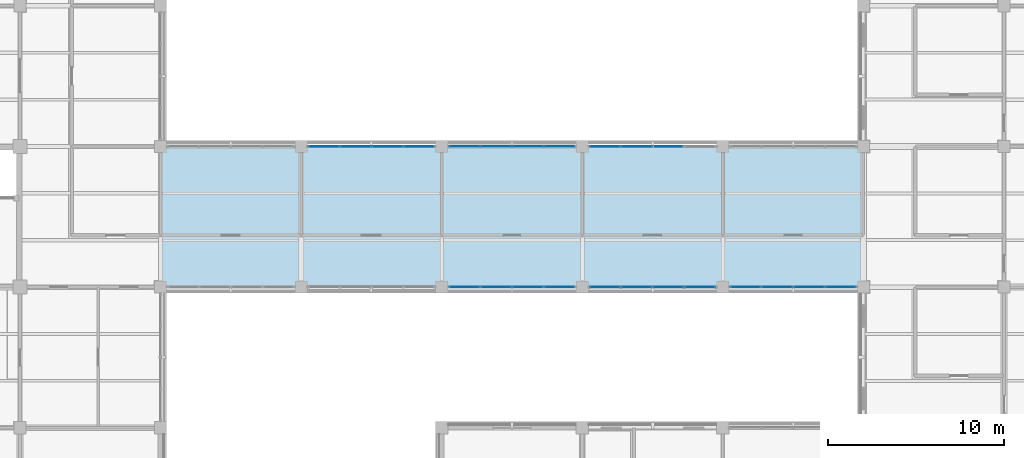
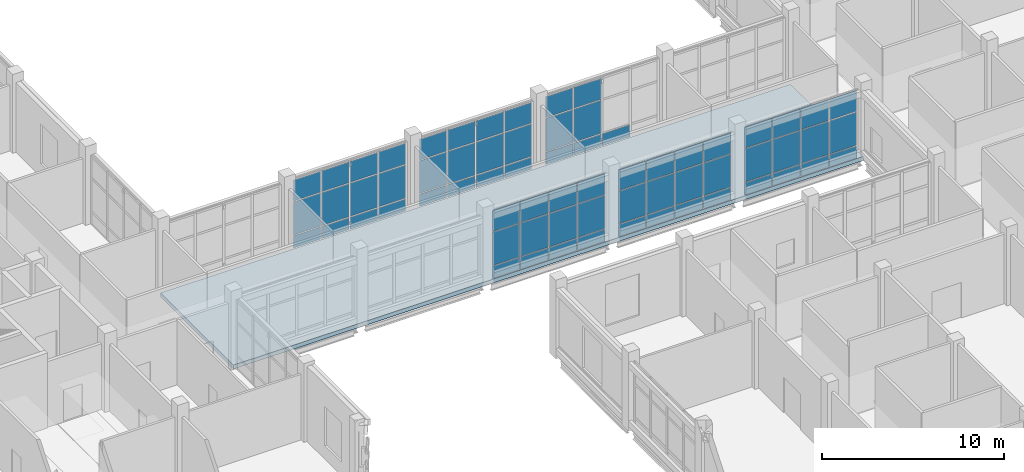
# One storey, part 55 of 105: 67 plates, 1 slab, 6 elements without a shape of their own.
"""IFC4 building model written with IfcOpenShell, lengths in metres."""

from ifc_helpers import new_model, si_unit, derived_unit, direction, frame, origin, origin_2d, place, context, subcontext, project, spatial, polyline, rectangle, outline, extrude, material, layer, layer_set, type_object, element, aggregate, save


model = new_model("IFC4")

# Units and contexts
model_context = context("Model", 3, precision=1e-05, world=origin(), true_north=direction((0.0, 1.0)))
body_context = subcontext(model_context, "Body", "Model", "MODEL_VIEW")
ifc_project = project(units=[si_unit("LENGTHUNIT", "METRE"), si_unit("AREAUNIT", "SQUARE_METRE"), si_unit("VOLUMEUNIT", "CUBIC_METRE"), si_unit("PLANEANGLEUNIT", "RADIAN"), si_unit("MASSUNIT", "GRAM", prefix="KILO"), derived_unit("THERMALTRANSMITTANCEUNIT", [(si_unit("MASSUNIT", "GRAM", prefix="KILO"), 1), (si_unit("TIMEUNIT", "SECOND"), -3), (si_unit("THERMODYNAMICTEMPERATUREUNIT", "KELVIN"), -1)])], contexts=[model_context])

# Site, building, storey
site_placement = place(None, origin())
site = spatial("IfcSite", under=ifc_project, at=site_placement, CompositionType="ELEMENT")
building_placement = place(site_placement, origin())
building = spatial("IfcBuilding", under=site, at=building_placement, Name="Veyamyaing Civic Hall", CompositionType="ELEMENT")
storey_placement = place(building_placement, origin())
storey = spatial("IfcBuildingStorey", under=building, at=storey_placement, Name="L00", CompositionType="ELEMENT", Elevation=0.0)

# Curtain wall, plates
ifc_material_1 = material(Name="Anodised aluminium 6063-T6", Category="aluminium")
ifc_layer_1 = layer(ifc_material_1, 0.159912109375, Name="Anodised aluminium 6063-T6")
ifc_layer_set_1 = layer_set([ifc_layer_1], Name="Anodised aluminium 6063-T6")
curtain_wall_type = type_object("IfcCurtainWallType", Name="CW-01", PredefinedType="NOTDEFINED", material=ifc_layer_set_1)
curtain_wall_1_placement = place(storey_placement, origin())
curtain_wall_1 = element("IfcCurtainWall", 1, at=curtain_wall_1_placement, inside=storey, type_object=curtain_wall_type, Name="Unitized curtain wall CW-01 L00 S 18.7", PredefinedType="NOTDEFINED")
ifc_material_2 = material(Name="Low-E insulated glass", Category="glass")
ifc_layer_2 = layer(ifc_material_2, 0.028076171875, Name="Low-E insulated glass")
ifc_layer_set_2 = layer_set([ifc_layer_2], Name="Low-E insulated glass")
plate_type_1 = type_object("IfcPlateType", Name="CWP-01", PredefinedType="CURTAIN_PANEL", material=ifc_layer_set_2)
plate_1_placement = place(storey_placement, frame((137.30126953125, 48.0, 0.06494140625), z_axis=(0.0, 0.0, 1.0), x_axis=(1.0, 0.0, 0.0)))
plate_1 = element("IfcPlate", 2, at=plate_1_placement, type_object=plate_type_1, Name="CW-01 panel 1.1", PredefinedType="CURTAIN_PANEL", context=body_context, shape_type="SweptSolid", body=[
    extrude(rectangle(XDim=1.71240234375, YDim=0.028076171875, at=origin_2d()), origin(), (0.0, 0.0, 1.0), 0.802490234375),
])
plate_2_placement = place(storey_placement, frame((137.30126953125, 48.0, 0.9326171875), z_axis=(0.0, 0.0, 1.0), x_axis=(1.0, 0.0, 0.0)))
plate_2 = element("IfcPlate", 3, at=plate_2_placement, type_object=plate_type_1, Name="CW-01 panel 1.2", PredefinedType="CURTAIN_PANEL", context=body_context, shape_type="SweptSolid", body=[
    extrude(rectangle(XDim=1.71240234375, YDim=0.028076171875, at=origin_2d()), origin(), (0.0, 0.0, 1.0), 2.21533203125),
])
plate_3_placement = place(storey_placement, frame((137.30126953125, 48.0, 3.212890625), z_axis=(0.0, 0.0, 1.0), x_axis=(1.0, 0.0, 0.0)))
plate_3 = element("IfcPlate", 4, at=plate_3_placement, type_object=plate_type_1, Name="CW-01 panel 1.3", PredefinedType="CURTAIN_PANEL", context=body_context, shape_type="SweptSolid", body=[
    extrude(rectangle(XDim=1.71240234375, YDim=0.028076171875, at=origin_2d()), origin(), (0.0, 0.0, 1.0), 1.399169921875),
])
plate_4_placement = place(storey_placement, frame((139.094970703125, 48.0, 0.06494140625), z_axis=(0.0, 0.0, 1.0), x_axis=(1.0, 0.0, 0.0)))
plate_4 = element("IfcPlate", 5, at=plate_4_placement, type_object=plate_type_1, Name="CW-01 panel 2.1", PredefinedType="CURTAIN_PANEL", context=body_context, shape_type="SweptSolid", body=[
    extrude(rectangle(XDim=1.7451171875, YDim=0.028076171875, at=origin_2d()), origin(), (0.0, 0.0, 1.0), 0.802490234375),
])
plate_5_placement = place(storey_placement, frame((139.094970703125, 48.0, 0.9326171875), z_axis=(0.0, 0.0, 1.0), x_axis=(1.0, 0.0, 0.0)))
plate_5 = element("IfcPlate", 6, at=plate_5_placement, type_object=plate_type_1, Name="CW-01 panel 2.2", PredefinedType="CURTAIN_PANEL", context=body_context, shape_type="SweptSolid", body=[
    extrude(rectangle(XDim=1.7451171875, YDim=0.028076171875, at=origin_2d()), origin(), (0.0, 0.0, 1.0), 2.21533203125),
])
plate_6_placement = place(storey_placement, frame((139.094970703125, 48.0, 3.212890625), z_axis=(0.0, 0.0, 1.0), x_axis=(1.0, 0.0, 0.0)))
plate_6 = element("IfcPlate", 7, at=plate_6_placement, type_object=plate_type_1, Name="CW-01 panel 2.3", PredefinedType="CURTAIN_PANEL", context=body_context, shape_type="SweptSolid", body=[
    extrude(rectangle(XDim=1.7451171875, YDim=0.028076171875, at=origin_2d()), origin(), (0.0, 0.0, 1.0), 1.399169921875),
])
plate_7_placement = place(storey_placement, frame((140.905029296875, 48.0, 0.06494140625), z_axis=(0.0, 0.0, 1.0), x_axis=(1.0, 0.0, 0.0)))
plate_7 = element("IfcPlate", 8, at=plate_7_placement, type_object=plate_type_1, Name="CW-01 panel 3.1", PredefinedType="CURTAIN_PANEL", context=body_context, shape_type="SweptSolid", body=[
    extrude(rectangle(XDim=1.7451171875, YDim=0.028076171875, at=origin_2d()), origin(), (0.0, 0.0, 1.0), 0.802490234375),
])
plate_8_placement = place(storey_placement, frame((140.905029296875, 48.0, 0.9326171875), z_axis=(0.0, 0.0, 1.0), x_axis=(1.0, 0.0, 0.0)))
plate_8 = element("IfcPlate", 9, at=plate_8_placement, type_object=plate_type_1, Name="CW-01 panel 3.2", PredefinedType="CURTAIN_PANEL", context=body_context, shape_type="SweptSolid", body=[
    extrude(rectangle(XDim=1.7451171875, YDim=0.028076171875, at=origin_2d()), origin(), (0.0, 0.0, 1.0), 2.21533203125),
])
plate_9_placement = place(storey_placement, frame((140.905029296875, 48.0, 3.212890625), z_axis=(0.0, 0.0, 1.0), x_axis=(1.0, 0.0, 0.0)))
plate_9 = element("IfcPlate", 10, at=plate_9_placement, type_object=plate_type_1, Name="CW-01 panel 3.3", PredefinedType="CURTAIN_PANEL", context=body_context, shape_type="SweptSolid", body=[
    extrude(rectangle(XDim=1.7451171875, YDim=0.028076171875, at=origin_2d()), origin(), (0.0, 0.0, 1.0), 1.399169921875),
])
plate_10_placement = place(storey_placement, frame((142.69873046875, 48.0, 0.06494140625), z_axis=(0.0, 0.0, 1.0), x_axis=(1.0, 0.0, 0.0)))
plate_10 = element("IfcPlate", 11, at=plate_10_placement, type_object=plate_type_1, Name="CW-01 panel 4.1", PredefinedType="CURTAIN_PANEL", context=body_context, shape_type="SweptSolid", body=[
    extrude(rectangle(XDim=1.71240234375, YDim=0.028076171875, at=origin_2d()), origin(), (0.0, 0.0, 1.0), 0.802490234375),
])
plate_11_placement = place(storey_placement, frame((142.69873046875, 48.0, 0.9326171875), z_axis=(0.0, 0.0, 1.0), x_axis=(1.0, 0.0, 0.0)))
plate_11 = element("IfcPlate", 12, at=plate_11_placement, type_object=plate_type_1, Name="CW-01 panel 4.2", PredefinedType="CURTAIN_PANEL", context=body_context, shape_type="SweptSolid", body=[
    extrude(rectangle(XDim=1.71240234375, YDim=0.028076171875, at=origin_2d()), origin(), (0.0, 0.0, 1.0), 2.21533203125),
])
plate_12_placement = place(storey_placement, frame((142.69873046875, 48.0, 3.212890625), z_axis=(0.0, 0.0, 1.0), x_axis=(1.0, 0.0, 0.0)))
plate_12 = element("IfcPlate", 13, at=plate_12_placement, type_object=plate_type_1, Name="CW-01 panel 4.3", PredefinedType="CURTAIN_PANEL", context=body_context, shape_type="SweptSolid", body=[
    extrude(rectangle(XDim=1.71240234375, YDim=0.028076171875, at=origin_2d()), origin(), (0.0, 0.0, 1.0), 1.399169921875),
])
aggregate(curtain_wall_1, [plate_1, plate_2, plate_3, plate_4, plate_5, plate_6, plate_7, plate_8, plate_9, plate_10, plate_11, plate_12])

curtain_wall_2_placement = place(storey_placement, origin())
curtain_wall_2 = element("IfcCurtainWall", 14, at=curtain_wall_2_placement, inside=storey, type_object=curtain_wall_type, Name="Unitized curtain wall CW-01 L00 N 18.7", PredefinedType="NOTDEFINED")
plate_13_placement = place(storey_placement, frame((137.30126953125, 56.0, 0.06494140625), z_axis=(0.0, 0.0, 1.0), x_axis=(1.0, 0.0, 0.0)))
plate_13 = element("IfcPlate", 15, at=plate_13_placement, type_object=plate_type_1, Name="CW-01 panel 1.1", PredefinedType="CURTAIN_PANEL", context=body_context, shape_type="SweptSolid", body=[
    extrude(rectangle(XDim=1.71240234375, YDim=0.028076171875, at=origin_2d()), origin(), (0.0, 0.0, 1.0), 0.802490234375),
])
plate_14_placement = place(storey_placement, frame((137.30126953125, 56.0, 0.932373046875), z_axis=(0.0, 0.0, 1.0), x_axis=(1.0, 0.0, 0.0)))
plate_14 = element("IfcPlate", 16, at=plate_14_placement, type_object=plate_type_1, Name="CW-01 panel 1.2", PredefinedType="CURTAIN_PANEL", context=body_context, shape_type="SweptSolid", body=[
    extrude(rectangle(XDim=1.71240234375, YDim=0.028076171875, at=origin_2d()), origin(), (0.0, 0.0, 1.0), 2.169921875),
])
plate_15_placement = place(storey_placement, frame((137.30126953125, 56.0, 3.16748046875), z_axis=(0.0, 0.0, 1.0), x_axis=(1.0, 0.0, 0.0)))
plate_15 = element("IfcPlate", 17, at=plate_15_placement, type_object=plate_type_1, Name="CW-01 panel 1.3", PredefinedType="CURTAIN_PANEL", context=body_context, shape_type="SweptSolid", body=[
    extrude(rectangle(XDim=1.71240234375, YDim=0.028076171875, at=origin_2d()), origin(), (0.0, 0.0, 1.0), 1.377685546875),
])
plate_16_placement = place(storey_placement, frame((139.094970703125, 56.0, 0.06494140625), z_axis=(0.0, 0.0, 1.0), x_axis=(1.0, 0.0, 0.0)))
plate_16 = element("IfcPlate", 18, at=plate_16_placement, type_object=plate_type_1, Name="CW-01 panel 2.1", PredefinedType="CURTAIN_PANEL", context=body_context, shape_type="SweptSolid", body=[
    extrude(rectangle(XDim=1.7451171875, YDim=0.028076171875, at=origin_2d()), origin(), (0.0, 0.0, 1.0), 0.802490234375),
])
plate_17_placement = place(storey_placement, frame((139.094970703125, 56.0, 0.932373046875), z_axis=(0.0, 0.0, 1.0), x_axis=(1.0, 0.0, 0.0)))
plate_17 = element("IfcPlate", 19, at=plate_17_placement, type_object=plate_type_1, Name="CW-01 panel 2.2", PredefinedType="CURTAIN_PANEL", context=body_context, shape_type="SweptSolid", body=[
    extrude(rectangle(XDim=1.7451171875, YDim=0.028076171875, at=origin_2d()), origin(), (0.0, 0.0, 1.0), 2.169921875),
])
plate_18_placement = place(storey_placement, frame((139.094970703125, 56.0, 3.16748046875), z_axis=(0.0, 0.0, 1.0), x_axis=(1.0, 0.0, 0.0)))
plate_18 = element("IfcPlate", 20, at=plate_18_placement, type_object=plate_type_1, Name="CW-01 panel 2.3", PredefinedType="CURTAIN_PANEL", context=body_context, shape_type="SweptSolid", body=[
    extrude(rectangle(XDim=1.7451171875, YDim=0.028076171875, at=origin_2d()), origin(), (0.0, 0.0, 1.0), 1.377685546875),
])
plate_19_placement = place(storey_placement, frame((140.905029296875, 56.0, 0.06494140625), z_axis=(0.0, 0.0, 1.0), x_axis=(1.0, 0.0, 0.0)))
plate_19 = element("IfcPlate", 21, at=plate_19_placement, type_object=plate_type_1, Name="CW-01 panel 3.1", PredefinedType="CURTAIN_PANEL", context=body_context, shape_type="SweptSolid", body=[
    extrude(rectangle(XDim=1.7451171875, YDim=0.028076171875, at=origin_2d()), origin(), (0.0, 0.0, 1.0), 0.802490234375),
])
plate_20_placement = place(storey_placement, frame((140.905029296875, 56.0, 0.932373046875), z_axis=(0.0, 0.0, 1.0), x_axis=(1.0, 0.0, 0.0)))
plate_20 = element("IfcPlate", 22, at=plate_20_placement, type_object=plate_type_1, Name="CW-01 panel 3.2", PredefinedType="CURTAIN_PANEL", context=body_context, shape_type="SweptSolid", body=[
    extrude(rectangle(XDim=1.7451171875, YDim=0.028076171875, at=origin_2d()), origin(), (0.0, 0.0, 1.0), 2.169921875),
])
plate_21_placement = place(storey_placement, frame((140.905029296875, 56.0, 3.16748046875), z_axis=(0.0, 0.0, 1.0), x_axis=(1.0, 0.0, 0.0)))
plate_21 = element("IfcPlate", 23, at=plate_21_placement, type_object=plate_type_1, Name="CW-01 panel 3.3", PredefinedType="CURTAIN_PANEL", context=body_context, shape_type="SweptSolid", body=[
    extrude(rectangle(XDim=1.7451171875, YDim=0.028076171875, at=origin_2d()), origin(), (0.0, 0.0, 1.0), 1.377685546875),
])
plate_22_placement = place(storey_placement, frame((142.69873046875, 56.0, 0.06494140625), z_axis=(0.0, 0.0, 1.0), x_axis=(1.0, 0.0, 0.0)))
plate_22 = element("IfcPlate", 24, at=plate_22_placement, type_object=plate_type_1, Name="CW-01 panel 4.1", PredefinedType="CURTAIN_PANEL", context=body_context, shape_type="SweptSolid", body=[
    extrude(rectangle(XDim=1.71240234375, YDim=0.028076171875, at=origin_2d()), origin(), (0.0, 0.0, 1.0), 0.802490234375),
])
plate_23_placement = place(storey_placement, frame((142.69873046875, 56.0, 0.932373046875), z_axis=(0.0, 0.0, 1.0), x_axis=(1.0, 0.0, 0.0)))
plate_23 = element("IfcPlate", 25, at=plate_23_placement, type_object=plate_type_1, Name="CW-01 panel 4.2", PredefinedType="CURTAIN_PANEL", context=body_context, shape_type="SweptSolid", body=[
    extrude(rectangle(XDim=1.71240234375, YDim=0.028076171875, at=origin_2d()), origin(), (0.0, 0.0, 1.0), 2.169921875),
])
plate_24_placement = place(storey_placement, frame((142.69873046875, 56.0, 3.16748046875), z_axis=(0.0, 0.0, 1.0), x_axis=(1.0, 0.0, 0.0)))
plate_24 = element("IfcPlate", 26, at=plate_24_placement, type_object=plate_type_1, Name="CW-01 panel 4.3", PredefinedType="CURTAIN_PANEL", context=body_context, shape_type="SweptSolid", body=[
    extrude(rectangle(XDim=1.71240234375, YDim=0.028076171875, at=origin_2d()), origin(), (0.0, 0.0, 1.0), 1.377685546875),
])
aggregate(curtain_wall_2, [plate_13, plate_14, plate_15, plate_16, plate_17, plate_18, plate_19, plate_20, plate_21, plate_22, plate_23, plate_24])

curtain_wall_3_placement = place(storey_placement, origin())
curtain_wall_3 = element("IfcCurtainWall", 27, at=curtain_wall_3_placement, inside=storey, type_object=curtain_wall_type, Name="Unitized curtain wall CW-01 L00 S 19.7", PredefinedType="NOTDEFINED")
ifc_layer_3 = layer(ifc_material_2, 0.031982421875, Name="Low-E insulated glass")
ifc_layer_set_3 = layer_set([ifc_layer_3], Name="Low-E insulated glass")
plate_type_2 = type_object("IfcPlateType", Name="CWP-02", PredefinedType="CURTAIN_PANEL", material=ifc_layer_set_3)
plate_25_placement = place(storey_placement, frame((145.30126953125, 48.0, 0.06494140625), z_axis=(0.0, 0.0, 1.0), x_axis=(1.0, 0.0, 0.0)))
plate_25 = element("IfcPlate", 28, at=plate_25_placement, type_object=plate_type_2, Name="CW-01 panel 1.1", PredefinedType="CURTAIN_PANEL", context=body_context, shape_type="SweptSolid", body=[
    extrude(rectangle(XDim=1.71240234375, YDim=0.031982421875, at=origin_2d()), origin(), (0.0, 0.0, 1.0), 0.802490234375),
])
plate_26_placement = place(storey_placement, frame((145.30126953125, 48.0, 0.932373046875), z_axis=(0.0, 0.0, 1.0), x_axis=(1.0, 0.0, 0.0)))
plate_26 = element("IfcPlate", 29, at=plate_26_placement, type_object=plate_type_2, Name="CW-01 panel 1.2", PredefinedType="CURTAIN_PANEL", context=body_context, shape_type="SweptSolid", body=[
    extrude(rectangle(XDim=1.71240234375, YDim=0.031982421875, at=origin_2d()), origin(), (0.0, 0.0, 1.0), 2.169921875),
])
plate_27_placement = place(storey_placement, frame((145.30126953125, 48.0, 3.16748046875), z_axis=(0.0, 0.0, 1.0), x_axis=(1.0, 0.0, 0.0)))
plate_27 = element("IfcPlate", 30, at=plate_27_placement, type_object=plate_type_2, Name="CW-01 panel 1.3", PredefinedType="CURTAIN_PANEL", context=body_context, shape_type="SweptSolid", body=[
    extrude(rectangle(XDim=1.71240234375, YDim=0.031982421875, at=origin_2d()), origin(), (0.0, 0.0, 1.0), 1.377685546875),
])
plate_28_placement = place(storey_placement, frame((147.094970703125, 48.0, 0.06494140625), z_axis=(0.0, 0.0, 1.0), x_axis=(1.0, 0.0, 0.0)))
plate_28 = element("IfcPlate", 31, at=plate_28_placement, type_object=plate_type_2, Name="CW-01 panel 2.1", PredefinedType="CURTAIN_PANEL", context=body_context, shape_type="SweptSolid", body=[
    extrude(rectangle(XDim=1.7451171875, YDim=0.031982421875, at=origin_2d()), origin(), (0.0, 0.0, 1.0), 0.802490234375),
])
plate_29_placement = place(storey_placement, frame((147.094970703125, 48.0, 0.932373046875), z_axis=(0.0, 0.0, 1.0), x_axis=(1.0, 0.0, 0.0)))
plate_29 = element("IfcPlate", 32, at=plate_29_placement, type_object=plate_type_2, Name="CW-01 panel 2.2", PredefinedType="CURTAIN_PANEL", context=body_context, shape_type="SweptSolid", body=[
    extrude(rectangle(XDim=1.7451171875, YDim=0.031982421875, at=origin_2d()), origin(), (0.0, 0.0, 1.0), 2.169921875),
])
plate_30_placement = place(storey_placement, frame((147.094970703125, 48.0, 3.16748046875), z_axis=(0.0, 0.0, 1.0), x_axis=(1.0, 0.0, 0.0)))
plate_30 = element("IfcPlate", 33, at=plate_30_placement, type_object=plate_type_2, Name="CW-01 panel 2.3", PredefinedType="CURTAIN_PANEL", context=body_context, shape_type="SweptSolid", body=[
    extrude(rectangle(XDim=1.7451171875, YDim=0.031982421875, at=origin_2d()), origin(), (0.0, 0.0, 1.0), 1.377685546875),
])
plate_31_placement = place(storey_placement, frame((148.905029296875, 48.0, 0.06494140625), z_axis=(0.0, 0.0, 1.0), x_axis=(1.0, 0.0, 0.0)))
plate_31 = element("IfcPlate", 34, at=plate_31_placement, type_object=plate_type_2, Name="CW-01 panel 3.1", PredefinedType="CURTAIN_PANEL", context=body_context, shape_type="SweptSolid", body=[
    extrude(rectangle(XDim=1.7451171875, YDim=0.031982421875, at=origin_2d()), origin(), (0.0, 0.0, 1.0), 0.802490234375),
])
plate_32_placement = place(storey_placement, frame((148.905029296875, 48.0, 0.932373046875), z_axis=(0.0, 0.0, 1.0), x_axis=(1.0, 0.0, 0.0)))
plate_32 = element("IfcPlate", 35, at=plate_32_placement, type_object=plate_type_2, Name="CW-01 panel 3.2", PredefinedType="CURTAIN_PANEL", context=body_context, shape_type="SweptSolid", body=[
    extrude(rectangle(XDim=1.7451171875, YDim=0.031982421875, at=origin_2d()), origin(), (0.0, 0.0, 1.0), 2.169921875),
])
plate_33_placement = place(storey_placement, frame((148.905029296875, 48.0, 3.16748046875), z_axis=(0.0, 0.0, 1.0), x_axis=(1.0, 0.0, 0.0)))
plate_33 = element("IfcPlate", 36, at=plate_33_placement, type_object=plate_type_2, Name="CW-01 panel 3.3", PredefinedType="CURTAIN_PANEL", context=body_context, shape_type="SweptSolid", body=[
    extrude(rectangle(XDim=1.7451171875, YDim=0.031982421875, at=origin_2d()), origin(), (0.0, 0.0, 1.0), 1.377685546875),
])
plate_34_placement = place(storey_placement, frame((150.69873046875, 48.0, 0.06494140625), z_axis=(0.0, 0.0, 1.0), x_axis=(1.0, 0.0, 0.0)))
plate_34 = element("IfcPlate", 37, at=plate_34_placement, type_object=plate_type_2, Name="CW-01 panel 4.1", PredefinedType="CURTAIN_PANEL", context=body_context, shape_type="SweptSolid", body=[
    extrude(rectangle(XDim=1.71240234375, YDim=0.031982421875, at=origin_2d()), origin(), (0.0, 0.0, 1.0), 0.802490234375),
])
plate_35_placement = place(storey_placement, frame((150.69873046875, 48.0, 0.932373046875), z_axis=(0.0, 0.0, 1.0), x_axis=(1.0, 0.0, 0.0)))
plate_35 = element("IfcPlate", 38, at=plate_35_placement, type_object=plate_type_2, Name="CW-01 panel 4.2", PredefinedType="CURTAIN_PANEL", context=body_context, shape_type="SweptSolid", body=[
    extrude(rectangle(XDim=1.71240234375, YDim=0.031982421875, at=origin_2d()), origin(), (0.0, 0.0, 1.0), 2.169921875),
])
plate_36_placement = place(storey_placement, frame((150.69873046875, 48.0, 3.16748046875), z_axis=(0.0, 0.0, 1.0), x_axis=(1.0, 0.0, 0.0)))
plate_36 = element("IfcPlate", 39, at=plate_36_placement, type_object=plate_type_2, Name="CW-01 panel 4.3", PredefinedType="CURTAIN_PANEL", context=body_context, shape_type="SweptSolid", body=[
    extrude(rectangle(XDim=1.71240234375, YDim=0.031982421875, at=origin_2d()), origin(), (0.0, 0.0, 1.0), 1.377685546875),
])
aggregate(curtain_wall_3, [plate_25, plate_26, plate_27, plate_28, plate_29, plate_30, plate_31, plate_32, plate_33, plate_34, plate_35, plate_36])

curtain_wall_4_placement = place(storey_placement, origin())
curtain_wall_4 = element("IfcCurtainWall", 40, at=curtain_wall_4_placement, inside=storey, type_object=curtain_wall_type, Name="Unitized curtain wall CW-01 L00 N 19.7", PredefinedType="NOTDEFINED")
plate_37_placement = place(storey_placement, frame((145.30126953125, 56.0, 0.06494140625), z_axis=(0.0, 0.0, 1.0), x_axis=(1.0, 0.0, 0.0)))
plate_37 = element("IfcPlate", 41, at=plate_37_placement, type_object=plate_type_2, Name="CW-01 panel 1.1", PredefinedType="CURTAIN_PANEL", context=body_context, shape_type="SweptSolid", body=[
    extrude(rectangle(XDim=1.71240234375, YDim=0.031982421875, at=origin_2d()), origin(), (0.0, 0.0, 1.0), 0.802490234375),
])
plate_38_placement = place(storey_placement, frame((145.30126953125, 56.0, 0.932373046875), z_axis=(0.0, 0.0, 1.0), x_axis=(1.0, 0.0, 0.0)))
plate_38 = element("IfcPlate", 42, at=plate_38_placement, type_object=plate_type_2, Name="CW-01 panel 1.2", PredefinedType="CURTAIN_PANEL", context=body_context, shape_type="SweptSolid", body=[
    extrude(rectangle(XDim=1.71240234375, YDim=0.031982421875, at=origin_2d()), origin(), (0.0, 0.0, 1.0), 2.21337890625),
])
plate_39_placement = place(storey_placement, frame((145.30126953125, 56.0, 3.2109375), z_axis=(0.0, 0.0, 1.0), x_axis=(1.0, 0.0, 0.0)))
plate_39 = element("IfcPlate", 43, at=plate_39_placement, type_object=plate_type_2, Name="CW-01 panel 1.3", PredefinedType="CURTAIN_PANEL", context=body_context, shape_type="SweptSolid", body=[
    extrude(rectangle(XDim=1.71240234375, YDim=0.031982421875, at=origin_2d()), origin(), (0.0, 0.0, 1.0), 1.398193359375),
])
plate_40_placement = place(storey_placement, frame((147.094970703125, 56.0, 0.06494140625), z_axis=(0.0, 0.0, 1.0), x_axis=(1.0, 0.0, 0.0)))
plate_40 = element("IfcPlate", 44, at=plate_40_placement, type_object=plate_type_2, Name="CW-01 panel 2.1", PredefinedType="CURTAIN_PANEL", context=body_context, shape_type="SweptSolid", body=[
    extrude(rectangle(XDim=1.7451171875, YDim=0.031982421875, at=origin_2d()), origin(), (0.0, 0.0, 1.0), 0.802490234375),
])
plate_41_placement = place(storey_placement, frame((147.094970703125, 56.0, 0.932373046875), z_axis=(0.0, 0.0, 1.0), x_axis=(1.0, 0.0, 0.0)))
plate_41 = element("IfcPlate", 45, at=plate_41_placement, type_object=plate_type_2, Name="CW-01 panel 2.2", PredefinedType="CURTAIN_PANEL", context=body_context, shape_type="SweptSolid", body=[
    extrude(rectangle(XDim=1.7451171875, YDim=0.031982421875, at=origin_2d()), origin(), (0.0, 0.0, 1.0), 2.21337890625),
])
plate_42_placement = place(storey_placement, frame((147.094970703125, 56.0, 3.2109375), z_axis=(0.0, 0.0, 1.0), x_axis=(1.0, 0.0, 0.0)))
plate_42 = element("IfcPlate", 46, at=plate_42_placement, type_object=plate_type_2, Name="CW-01 panel 2.3", PredefinedType="CURTAIN_PANEL", context=body_context, shape_type="SweptSolid", body=[
    extrude(rectangle(XDim=1.7451171875, YDim=0.031982421875, at=origin_2d()), origin(), (0.0, 0.0, 1.0), 1.398193359375),
])
plate_43_placement = place(storey_placement, frame((148.905029296875, 56.0, 0.06494140625), z_axis=(0.0, 0.0, 1.0), x_axis=(1.0, 0.0, 0.0)))
plate_43 = element("IfcPlate", 47, at=plate_43_placement, type_object=plate_type_2, Name="CW-01 panel 3.1", PredefinedType="CURTAIN_PANEL", context=body_context, shape_type="SweptSolid", body=[
    extrude(rectangle(XDim=1.7451171875, YDim=0.031982421875, at=origin_2d()), origin(), (0.0, 0.0, 1.0), 0.802490234375),
])
aggregate(curtain_wall_4, [plate_37, plate_38, plate_39, plate_40, plate_41, plate_42, plate_43])

curtain_wall_5_placement = place(storey_placement, origin())
curtain_wall_5 = element("IfcCurtainWall", 48, at=curtain_wall_5_placement, inside=storey, type_object=curtain_wall_type, Name="Unitized curtain wall CW-01 L00 S 20.7", PredefinedType="NOTDEFINED")
ifc_layer_4 = layer(ifc_material_2, 0.035888671875, Name="Low-E insulated glass")
ifc_layer_set_4 = layer_set([ifc_layer_4], Name="Low-E insulated glass")
plate_type_3 = type_object("IfcPlateType", Name="CWP-03", PredefinedType="CURTAIN_PANEL", material=ifc_layer_set_4)
plate_44_placement = place(storey_placement, frame((153.30126953125, 48.0, 0.06494140625), z_axis=(0.0, 0.0, 1.0), x_axis=(1.0, 0.0, 0.0)))
plate_44 = element("IfcPlate", 49, at=plate_44_placement, type_object=plate_type_3, Name="CW-01 panel 1.1", PredefinedType="CURTAIN_PANEL", context=body_context, shape_type="SweptSolid", body=[
    extrude(rectangle(XDim=1.71240234375, YDim=0.035888671875, at=origin_2d()), origin(), (0.0, 0.0, 1.0), 0.802490234375),
])
plate_45_placement = place(storey_placement, frame((153.30126953125, 48.0, 0.932373046875), z_axis=(0.0, 0.0, 1.0), x_axis=(1.0, 0.0, 0.0)))
plate_45 = element("IfcPlate", 50, at=plate_45_placement, type_object=plate_type_3, Name="CW-01 panel 1.2", PredefinedType="CURTAIN_PANEL", context=body_context, shape_type="SweptSolid", body=[
    extrude(rectangle(XDim=1.71240234375, YDim=0.035888671875, at=origin_2d()), origin(), (0.0, 0.0, 1.0), 2.21337890625),
])
plate_46_placement = place(storey_placement, frame((153.30126953125, 48.0, 3.2109375), z_axis=(0.0, 0.0, 1.0), x_axis=(1.0, 0.0, 0.0)))
plate_46 = element("IfcPlate", 51, at=plate_46_placement, type_object=plate_type_3, Name="CW-01 panel 1.3", PredefinedType="CURTAIN_PANEL", context=body_context, shape_type="SweptSolid", body=[
    extrude(rectangle(XDim=1.71240234375, YDim=0.035888671875, at=origin_2d()), origin(), (0.0, 0.0, 1.0), 1.398193359375),
])
plate_47_placement = place(storey_placement, frame((155.094970703125, 48.0, 0.06494140625), z_axis=(0.0, 0.0, 1.0), x_axis=(1.0, 0.0, 0.0)))
plate_47 = element("IfcPlate", 52, at=plate_47_placement, type_object=plate_type_3, Name="CW-01 panel 2.1", PredefinedType="CURTAIN_PANEL", context=body_context, shape_type="SweptSolid", body=[
    extrude(rectangle(XDim=1.7451171875, YDim=0.035888671875, at=origin_2d()), origin(), (0.0, 0.0, 1.0), 0.802490234375),
])
plate_48_placement = place(storey_placement, frame((155.094970703125, 48.0, 0.932373046875), z_axis=(0.0, 0.0, 1.0), x_axis=(1.0, 0.0, 0.0)))
plate_48 = element("IfcPlate", 53, at=plate_48_placement, type_object=plate_type_3, Name="CW-01 panel 2.2", PredefinedType="CURTAIN_PANEL", context=body_context, shape_type="SweptSolid", body=[
    extrude(rectangle(XDim=1.7451171875, YDim=0.035888671875, at=origin_2d()), origin(), (0.0, 0.0, 1.0), 2.21337890625),
])
plate_49_placement = place(storey_placement, frame((155.094970703125, 48.0, 3.2109375), z_axis=(0.0, 0.0, 1.0), x_axis=(1.0, 0.0, 0.0)))
plate_49 = element("IfcPlate", 54, at=plate_49_placement, type_object=plate_type_3, Name="CW-01 panel 2.3", PredefinedType="CURTAIN_PANEL", context=body_context, shape_type="SweptSolid", body=[
    extrude(rectangle(XDim=1.7451171875, YDim=0.035888671875, at=origin_2d()), origin(), (0.0, 0.0, 1.0), 1.398193359375),
])
plate_50_placement = place(storey_placement, frame((156.905029296875, 48.0, 0.06494140625), z_axis=(0.0, 0.0, 1.0), x_axis=(1.0, 0.0, 0.0)))
plate_50 = element("IfcPlate", 55, at=plate_50_placement, type_object=plate_type_3, Name="CW-01 panel 3.1", PredefinedType="CURTAIN_PANEL", context=body_context, shape_type="SweptSolid", body=[
    extrude(rectangle(XDim=1.7451171875, YDim=0.035888671875, at=origin_2d()), origin(), (0.0, 0.0, 1.0), 0.802490234375),
])
plate_51_placement = place(storey_placement, frame((156.905029296875, 48.0, 0.932373046875), z_axis=(0.0, 0.0, 1.0), x_axis=(1.0, 0.0, 0.0)))
plate_51 = element("IfcPlate", 56, at=plate_51_placement, type_object=plate_type_3, Name="CW-01 panel 3.2", PredefinedType="CURTAIN_PANEL", context=body_context, shape_type="SweptSolid", body=[
    extrude(rectangle(XDim=1.7451171875, YDim=0.035888671875, at=origin_2d()), origin(), (0.0, 0.0, 1.0), 2.21337890625),
])
plate_52_placement = place(storey_placement, frame((156.905029296875, 48.0, 3.2109375), z_axis=(0.0, 0.0, 1.0), x_axis=(1.0, 0.0, 0.0)))
plate_52 = element("IfcPlate", 57, at=plate_52_placement, type_object=plate_type_3, Name="CW-01 panel 3.3", PredefinedType="CURTAIN_PANEL", context=body_context, shape_type="SweptSolid", body=[
    extrude(rectangle(XDim=1.7451171875, YDim=0.035888671875, at=origin_2d()), origin(), (0.0, 0.0, 1.0), 1.398193359375),
])
plate_53_placement = place(storey_placement, frame((158.69873046875, 48.0, 0.06494140625), z_axis=(0.0, 0.0, 1.0), x_axis=(1.0, 0.0, 0.0)))
plate_53 = element("IfcPlate", 58, at=plate_53_placement, type_object=plate_type_3, Name="CW-01 panel 4.1", PredefinedType="CURTAIN_PANEL", context=body_context, shape_type="SweptSolid", body=[
    extrude(rectangle(XDim=1.71240234375, YDim=0.035888671875, at=origin_2d()), origin(), (0.0, 0.0, 1.0), 0.802490234375),
])
plate_54_placement = place(storey_placement, frame((158.69873046875, 48.0, 0.932373046875), z_axis=(0.0, 0.0, 1.0), x_axis=(1.0, 0.0, 0.0)))
plate_54 = element("IfcPlate", 59, at=plate_54_placement, type_object=plate_type_3, Name="CW-01 panel 4.2", PredefinedType="CURTAIN_PANEL", context=body_context, shape_type="SweptSolid", body=[
    extrude(rectangle(XDim=1.71240234375, YDim=0.035888671875, at=origin_2d()), origin(), (0.0, 0.0, 1.0), 2.21337890625),
])
plate_55_placement = place(storey_placement, frame((158.69873046875, 48.0, 3.2109375), z_axis=(0.0, 0.0, 1.0), x_axis=(1.0, 0.0, 0.0)))
plate_55 = element("IfcPlate", 60, at=plate_55_placement, type_object=plate_type_3, Name="CW-01 panel 4.3", PredefinedType="CURTAIN_PANEL", context=body_context, shape_type="SweptSolid", body=[
    extrude(rectangle(XDim=1.71240234375, YDim=0.035888671875, at=origin_2d()), origin(), (0.0, 0.0, 1.0), 1.398193359375),
])
aggregate(curtain_wall_5, [plate_44, plate_45, plate_46, plate_47, plate_48, plate_49, plate_50, plate_51, plate_52, plate_53, plate_54, plate_55])

curtain_wall_6_placement = place(storey_placement, origin())
curtain_wall_6 = element("IfcCurtainWall", 61, at=curtain_wall_6_placement, inside=storey, type_object=curtain_wall_type, Name="Unitized curtain wall CW-01 L00 N 17.7", PredefinedType="NOTDEFINED")
ifc_layer_5 = layer(ifc_material_2, 0.02197265625, Name="Low-E insulated glass")
ifc_layer_set_5 = layer_set([ifc_layer_5], Name="Low-E insulated glass")
plate_type_4 = type_object("IfcPlateType", Name="CWP-06", PredefinedType="CURTAIN_PANEL", material=ifc_layer_set_5)
plate_56_placement = place(storey_placement, frame((129.30126953125, 56.0, 0.06494140625), z_axis=(0.0, 0.0, 1.0), x_axis=(1.0, 0.0, 0.0)))
plate_56 = element("IfcPlate", 62, at=plate_56_placement, type_object=plate_type_4, Name="CW-01 panel 1.1", PredefinedType="CURTAIN_PANEL", context=body_context, shape_type="SweptSolid", body=[
    extrude(rectangle(XDim=1.71240234375, YDim=0.02197265625, at=origin_2d()), origin(), (0.0, 0.0, 1.0), 0.802490234375),
])
plate_57_placement = place(storey_placement, frame((129.30126953125, 56.0, 0.9326171875), z_axis=(0.0, 0.0, 1.0), x_axis=(1.0, 0.0, 0.0)))
plate_57 = element("IfcPlate", 63, at=plate_57_placement, type_object=plate_type_4, Name="CW-01 panel 1.2", PredefinedType="CURTAIN_PANEL", context=body_context, shape_type="SweptSolid", body=[
    extrude(rectangle(XDim=1.71240234375, YDim=0.02197265625, at=origin_2d()), origin(), (0.0, 0.0, 1.0), 2.21533203125),
])
plate_58_placement = place(storey_placement, frame((129.30126953125, 56.0, 3.212890625), z_axis=(0.0, 0.0, 1.0), x_axis=(1.0, 0.0, 0.0)))
plate_58 = element("IfcPlate", 64, at=plate_58_placement, type_object=plate_type_4, Name="CW-01 panel 1.3", PredefinedType="CURTAIN_PANEL", context=body_context, shape_type="SweptSolid", body=[
    extrude(rectangle(XDim=1.71240234375, YDim=0.02197265625, at=origin_2d()), origin(), (0.0, 0.0, 1.0), 1.399169921875),
])
plate_59_placement = place(storey_placement, frame((131.094970703125, 56.0, 0.06494140625), z_axis=(0.0, 0.0, 1.0), x_axis=(1.0, 0.0, 0.0)))
plate_59 = element("IfcPlate", 65, at=plate_59_placement, type_object=plate_type_4, Name="CW-01 panel 2.1", PredefinedType="CURTAIN_PANEL", context=body_context, shape_type="SweptSolid", body=[
    extrude(rectangle(XDim=1.7451171875, YDim=0.02197265625, at=origin_2d()), origin(), (0.0, 0.0, 1.0), 0.802490234375),
])
plate_60_placement = place(storey_placement, frame((131.094970703125, 56.0, 0.9326171875), z_axis=(0.0, 0.0, 1.0), x_axis=(1.0, 0.0, 0.0)))
plate_60 = element("IfcPlate", 66, at=plate_60_placement, type_object=plate_type_4, Name="CW-01 panel 2.2", PredefinedType="CURTAIN_PANEL", context=body_context, shape_type="SweptSolid", body=[
    extrude(rectangle(XDim=1.7451171875, YDim=0.02197265625, at=origin_2d()), origin(), (0.0, 0.0, 1.0), 2.21533203125),
])
plate_61_placement = place(storey_placement, frame((131.094970703125, 56.0, 3.212890625), z_axis=(0.0, 0.0, 1.0), x_axis=(1.0, 0.0, 0.0)))
plate_61 = element("IfcPlate", 67, at=plate_61_placement, type_object=plate_type_4, Name="CW-01 panel 2.3", PredefinedType="CURTAIN_PANEL", context=body_context, shape_type="SweptSolid", body=[
    extrude(rectangle(XDim=1.7451171875, YDim=0.02197265625, at=origin_2d()), origin(), (0.0, 0.0, 1.0), 1.399169921875),
])
plate_62_placement = place(storey_placement, frame((132.905029296875, 56.0, 0.06494140625), z_axis=(0.0, 0.0, 1.0), x_axis=(1.0, 0.0, 0.0)))
plate_62 = element("IfcPlate", 68, at=plate_62_placement, type_object=plate_type_4, Name="CW-01 panel 3.1", PredefinedType="CURTAIN_PANEL", context=body_context, shape_type="SweptSolid", body=[
    extrude(rectangle(XDim=1.7451171875, YDim=0.02197265625, at=origin_2d()), origin(), (0.0, 0.0, 1.0), 0.802490234375),
])
plate_63_placement = place(storey_placement, frame((132.905029296875, 56.0, 0.9326171875), z_axis=(0.0, 0.0, 1.0), x_axis=(1.0, 0.0, 0.0)))
plate_63 = element("IfcPlate", 69, at=plate_63_placement, type_object=plate_type_4, Name="CW-01 panel 3.2", PredefinedType="CURTAIN_PANEL", context=body_context, shape_type="SweptSolid", body=[
    extrude(rectangle(XDim=1.7451171875, YDim=0.02197265625, at=origin_2d()), origin(), (0.0, 0.0, 1.0), 2.21533203125),
])
plate_64_placement = place(storey_placement, frame((132.905029296875, 56.0, 3.212890625), z_axis=(0.0, 0.0, 1.0), x_axis=(1.0, 0.0, 0.0)))
plate_64 = element("IfcPlate", 70, at=plate_64_placement, type_object=plate_type_4, Name="CW-01 panel 3.3", PredefinedType="CURTAIN_PANEL", context=body_context, shape_type="SweptSolid", body=[
    extrude(rectangle(XDim=1.7451171875, YDim=0.02197265625, at=origin_2d()), origin(), (0.0, 0.0, 1.0), 1.399169921875),
])
plate_65_placement = place(storey_placement, frame((134.69873046875, 56.0, 0.06494140625), z_axis=(0.0, 0.0, 1.0), x_axis=(1.0, 0.0, 0.0)))
plate_65 = element("IfcPlate", 71, at=plate_65_placement, type_object=plate_type_4, Name="CW-01 panel 4.1", PredefinedType="CURTAIN_PANEL", context=body_context, shape_type="SweptSolid", body=[
    extrude(rectangle(XDim=1.71240234375, YDim=0.02197265625, at=origin_2d()), origin(), (0.0, 0.0, 1.0), 0.802490234375),
])
plate_66_placement = place(storey_placement, frame((134.69873046875, 56.0, 0.9326171875), z_axis=(0.0, 0.0, 1.0), x_axis=(1.0, 0.0, 0.0)))
plate_66 = element("IfcPlate", 72, at=plate_66_placement, type_object=plate_type_4, Name="CW-01 panel 4.2", PredefinedType="CURTAIN_PANEL", context=body_context, shape_type="SweptSolid", body=[
    extrude(rectangle(XDim=1.71240234375, YDim=0.02197265625, at=origin_2d()), origin(), (0.0, 0.0, 1.0), 2.21533203125),
])
plate_67_placement = place(storey_placement, frame((134.69873046875, 56.0, 3.212890625), z_axis=(0.0, 0.0, 1.0), x_axis=(1.0, 0.0, 0.0)))
plate_67 = element("IfcPlate", 73, at=plate_67_placement, type_object=plate_type_4, Name="CW-01 panel 4.3", PredefinedType="CURTAIN_PANEL", context=body_context, shape_type="SweptSolid", body=[
    extrude(rectangle(XDim=1.71240234375, YDim=0.02197265625, at=origin_2d()), origin(), (0.0, 0.0, 1.0), 1.399169921875),
])
aggregate(curtain_wall_6, [plate_56, plate_57, plate_58, plate_59, plate_60, plate_61, plate_62, plate_63, plate_64, plate_65, plate_66, plate_67])

# Slab
ifc_material_3 = material(Name="Concrete C40/50", Category="concrete")
ifc_layer_6 = layer(ifc_material_3, 0.264892578125, Name="Concrete C40/50")
ifc_layer_set_6 = layer_set([ifc_layer_6], Name="Concrete C40/50")
slab_type = type_object("IfcSlabType", Name="SL-02", PredefinedType="FLOOR", material=ifc_layer_set_6)
slab_placement = place(storey_placement, frame((0.0, 0.0, -0.264892578125)))
element("IfcSlab", 74, at=slab_placement, inside=storey, type_object=slab_type, Name="Floor slab SL-02 L00 LNKE.1", PredefinedType="FLOOR", context=body_context, shape_type="SweptSolid", body=[
    extrude(outline(polyline([(120.0, 56.0), (160.0, 56.0), (160.0, 48.0), (120.0, 48.0), (120.0, 56.0)])), origin(), (0.0, 0.0, 1.0), 0.264892578125),
])

save(model, "model.ifc")
